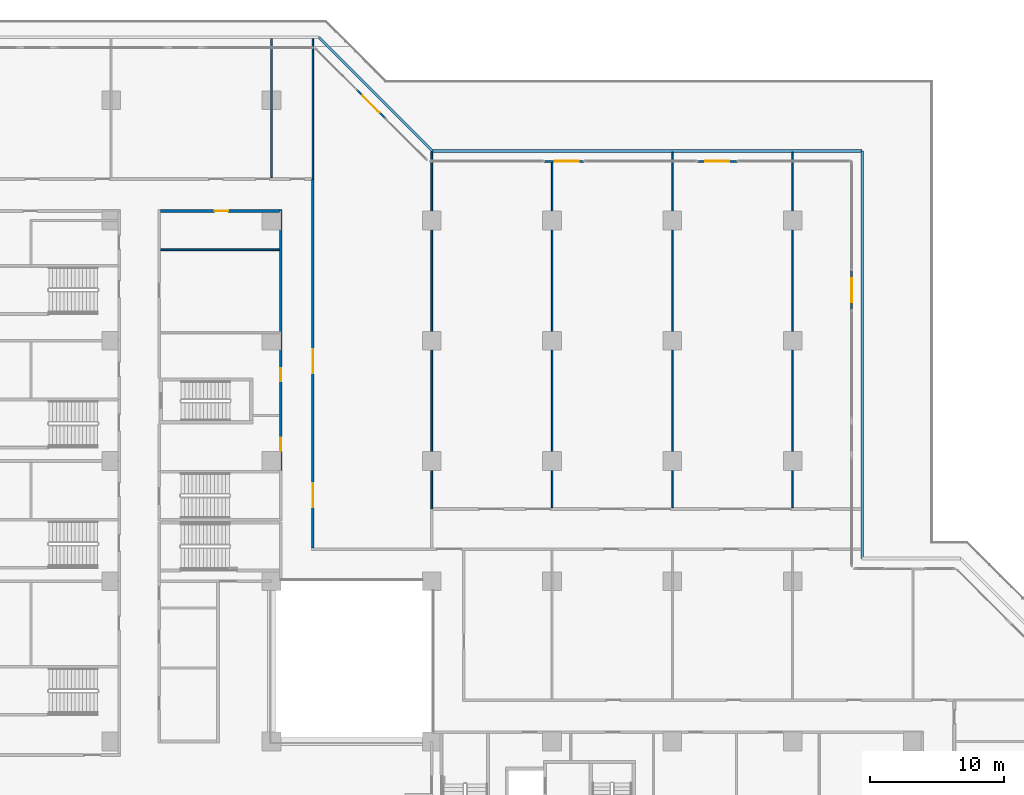
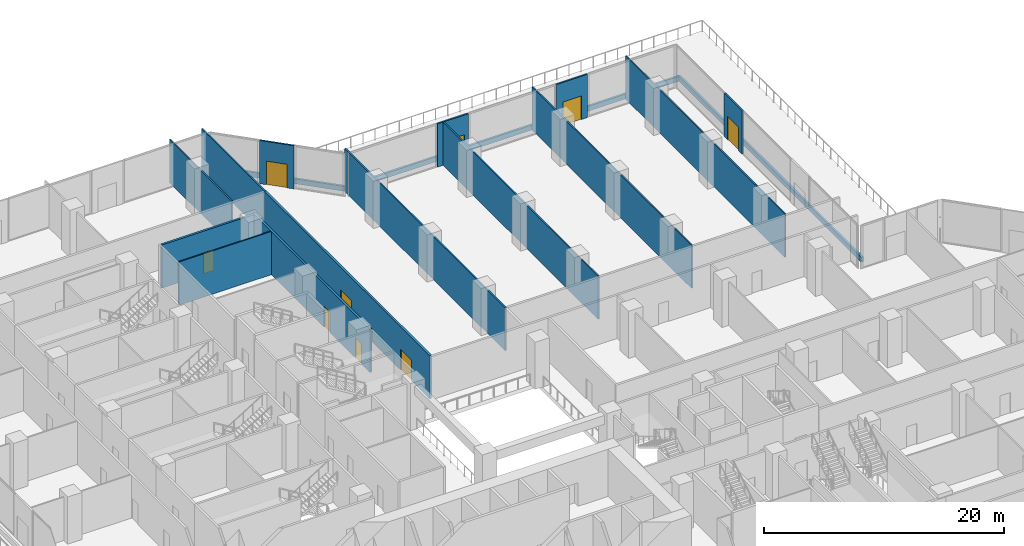
# One storey, part 22 of 31: 17 walls, 9 doors, 9 openings.
"""IFC4 building model written with IfcOpenShell, lengths in metres."""

from ifc_helpers import new_model, si_unit, direction, frame, frame_2d, origin, place, context, subcontext, project, spatial, rectangle, extrude, material, layer, layer_set, type_object, element, fill, save


model = new_model("IFC4")

# Units and contexts
model_context = context("Model", 3, precision=1e-05, world=origin(), true_north=direction((0.0, 1.0)))
body_context = subcontext(model_context, "Body", "Model", "MODEL_VIEW")
ifc_project = project(units=[si_unit("LENGTHUNIT", "METRE"), si_unit("AREAUNIT", "SQUARE_METRE"), si_unit("VOLUMEUNIT", "CUBIC_METRE"), si_unit("PLANEANGLEUNIT", "RADIAN"), si_unit("MASSUNIT", "GRAM", prefix="KILO")], contexts=[model_context])

# Site, building, storey
site_placement = place(None, origin())
site = spatial("IfcSite", under=ifc_project, at=site_placement, CompositionType="ELEMENT")
building_placement = place(site_placement, origin())
building = spatial("IfcBuilding", under=site, at=building_placement, Name="Chenar Terraces", CompositionType="ELEMENT")
storey_placement = place(building_placement, frame((0.0, 0.0, 7.199951171875)))
storey = spatial("IfcBuildingStorey", under=building, at=storey_placement, Name="L01", CompositionType="ELEMENT", Elevation=7.199951171875)

# Walls
ifc_material_1 = material(Name="Gypsum board on steel studs with mineral wool", Category="steel")
ifc_layer_1 = layer(ifc_material_1, 0.125)
ifc_layer_set_1 = layer_set([ifc_layer_1], Name="Gypsum board on steel studs with mineral wool")
wall_type_1 = type_object("IfcWallType", Name="Acoustic partition 125", PredefinedType="PARTITIONING", material=ifc_layer_set_1)
wall_1_placement = place(storey_placement, frame((15.699951171875, 60.800048828125, 0.0), z_axis=(0.0, 0.0, 1.0), x_axis=(1.0, 0.0, 0.0)))
element("IfcWall", 1, at=wall_1_placement, inside=storey, type_object=wall_type_1, Name="Partition L01-063", PredefinedType="PARTITIONING", context=body_context, shape_type="SweptSolid", body=[
    extrude(rectangle(XDim=8.900146484375, YDim=0.125, at=frame_2d((4.4501953125, 0.0))), origin(), (0.0, 0.0, 1.0), 4.400146484375),
])
wall_2_placement = place(storey_placement, frame((24.0, 66.199951171875, 0.0), z_axis=(0.0, 0.0, 1.0), x_axis=(0.0, 1.0, 0.0)))
element("IfcWall", 2, at=wall_2_placement, inside=storey, type_object=wall_type_1, Name="Partition L01-069", PredefinedType="PARTITIONING", context=body_context, shape_type="SweptSolid", body=[
    extrude(rectangle(XDim=10.400146484375, YDim=0.125, at=frame_2d((5.2001953125, 0.0))), origin(), (0.0, 0.0, 1.0), 4.400146484375),
])
wall_3_placement = place(storey_placement, frame((27.10009765625, 66.10009765625, 0.0), z_axis=(0.0, 0.0, 1.0), x_axis=(0.0, 1.0, 0.0)))
element("IfcWall", 3, at=wall_3_placement, inside=storey, type_object=wall_type_1, Name="Partition L01-075", PredefinedType="PARTITIONING", context=body_context, shape_type="SweptSolid", body=[
    extrude(rectangle(XDim=10.5, YDim=0.125, at=frame_2d((5.25, 0.0))), origin(), (0.0, 0.0, 1.0), 4.400146484375),
])
wall_4_placement = place(storey_placement, frame((36.0, 41.39990234375, 0.0), z_axis=(0.0, 0.0, 1.0), x_axis=(0.0, 1.0, 0.0)))
element("IfcWall", 4, at=wall_4_placement, inside=storey, type_object=wall_type_1, Name="Partition L01-084", PredefinedType="PARTITIONING", context=body_context, shape_type="SweptSolid", body=[
    extrude(rectangle(XDim=26.74658203125, YDim=0.125, at=frame_2d((13.373291015625, 0.0))), origin(), (0.0, 0.0, 1.0), 4.400146484375),
])
wall_5_placement = place(storey_placement, frame((45.0, 41.5, 0.0), z_axis=(0.0, 0.0, 1.0), x_axis=(0.0, 1.0, 0.0)))
element("IfcWall", 5, at=wall_5_placement, inside=storey, type_object=wall_type_1, Name="Partition L01-099", PredefinedType="PARTITIONING", context=body_context, shape_type="SweptSolid", body=[
    extrude(rectangle(XDim=25.85107421875, YDim=0.125, at=frame_2d((12.925537109375, 0.0))), origin(), (0.0, 0.0, 1.0), 4.400146484375),
])
for number, where, z_axis, x_axis, name in (
    (6, (54.0, 41.5, 0.0), (0.0, 0.0, 1.0), (0.0, 1.0, 0.0), "Partition L01-109"),
    (7, (63.0, 41.5, 0.0), (0.0, 0.0, 1.0), (0.0, 1.0, 0.0), "Partition L01-116"),
):
    element("IfcWall", number, at=place(storey_placement, frame(where, z_axis=z_axis, x_axis=x_axis)), inside=storey, type_object=wall_type_1, Name=name, PredefinedType="PARTITIONING", context=body_context, shape_type="SweptSolid", body=[
        extrude(rectangle(XDim=26.60009765625, YDim=0.125, at=frame_2d((13.300048828125, 0.0))), origin(), (0.0, 0.0, 1.0), 4.400146484375),
    ])

# Wall, opening, door
ifc_material_2 = material(Name="Gypsum board on steel studs with fire boards", Category="steel")
ifc_layer_2 = layer(ifc_material_2, 0.199951171875)
ifc_layer_set_2 = layer_set([ifc_layer_2], Name="Gypsum board on steel studs with fire boards")
wall_type_2 = type_object("IfcWallType", Name="Corridor wall 200", PredefinedType="PARTITIONING", material=ifc_layer_set_2)
wall_6_placement = place(storey_placement, frame((15.699951171875, 63.699951171875, 0.0), z_axis=(0.0, 0.0, 1.0), x_axis=(1.0, 0.0, 0.0)))
wall_6 = element("IfcWall", 8, at=wall_6_placement, inside=storey, type_object=wall_type_2, Name="Partition L01-064", PredefinedType="PARTITIONING", context=body_context, shape_type="SweptSolid", body=[
    extrude(rectangle(XDim=8.900146484375, YDim=0.199951171875, at=frame_2d((4.4501953125, 0.0))), origin(), (0.0, 0.0, 1.0), 4.400146484375),
])
opening_1_placement = place(wall_6_placement, frame((4.050048828125, 0.0, 0.0)))
opening_1 = element("IfcOpeningElement", 9, at=opening_1_placement, cuts=wall_6, Name="Opening DL01-28", PredefinedType="OPENING", context=body_context, shape_type="SweptSolid", body=[
    extrude(rectangle(XDim=1.0, YDim=2.10009765625, at=frame_2d((0.5, 1.050048828125))), frame((0.0, 0.10986328125, 0.0), z_axis=(0.0, -1.0, 0.0), x_axis=(1.0, 0.0, 0.0)), (0.0, 0.0, 1.0), 0.219970703125),
])
ifc_material_3 = material(Name="Steel-framed fire-resisting door leaf", Category="steel")
door_type_1 = type_object("IfcDoorType", Name="Fire door FD60 1000 x 2100", OperationType="SINGLE_SWING_LEFT", PredefinedType="DOOR", material=ifc_material_3)
door_1_placement = place(opening_1_placement, frame((1.0, 0.0, 0.0), z_axis=(0.0, 0.0, 1.0), x_axis=(-1.0, 0.0, 0.0)))
door_1 = element("IfcDoor", 10, at=door_1_placement, inside=storey, type_object=door_type_1, Name="Door DL01-28", OperationType="SINGLE_SWING_LEFT", OverallHeight=2.10009765625, OverallWidth=1.0, PredefinedType="DOOR", context=body_context, shape_type="SweptSolid", body=[
    extrude(rectangle(XDim=1.0, YDim=2.10009765625, at=frame_2d((0.5, 1.050048828125))), frame((0.0, 0.02490234375, 0.0), z_axis=(0.0, -1.0, 0.0), x_axis=(1.0, 0.0, 0.0)), (0.0, 0.0, 1.0), 0.050048828125),
])
fill(opening_1, door_1)

# Wall, openings, doors
wall_7_placement = place(storey_placement, frame((24.699951171875, 44.300048828125, 0.0), z_axis=(0.0, 0.0, 1.0), x_axis=(0.0, 1.0, 0.0)))
wall_7 = element("IfcWall", 11, at=wall_7_placement, inside=storey, type_object=wall_type_2, Name="Partition L01-072", PredefinedType="PARTITIONING", context=body_context, shape_type="SweptSolid", body=[
    extrude(rectangle(XDim=19.5, YDim=0.199951171875, at=frame_2d((9.75, 0.0))), origin(), (0.0, 0.0, 1.0), 4.400146484375),
])
opening_2_placement = place(wall_7_placement, frame((1.449951171875, 0.0, 0.0)))
opening_2 = element("IfcOpeningElement", 12, at=opening_2_placement, cuts=wall_7, Name="Opening DL01-25", PredefinedType="OPENING", context=body_context, shape_type="SweptSolid", body=[
    extrude(rectangle(XDim=1.0, YDim=2.10009765625, at=frame_2d((0.5, 1.050048828125))), frame((0.0, 0.10986328125, 0.0), z_axis=(0.0, -1.0, 0.0), x_axis=(1.0, 0.0, 0.0)), (0.0, 0.0, 1.0), 0.219970703125),
])
opening_3_placement = place(wall_7_placement, frame((6.64990234375, 0.0, 0.0)))
opening_3 = element("IfcOpeningElement", 13, at=opening_3_placement, cuts=wall_7, Name="Opening DL01-26", PredefinedType="OPENING", context=body_context, shape_type="SweptSolid", body=[
    extrude(rectangle(XDim=1.0, YDim=2.10009765625, at=frame_2d((0.5, 1.050048828125))), frame((0.0, 0.10986328125, 0.0), z_axis=(0.0, -1.0, 0.0), x_axis=(1.0, 0.0, 0.0)), (0.0, 0.0, 1.0), 0.219970703125),
])
door_2_placement = place(opening_2_placement, origin())
door_2 = element("IfcDoor", 14, at=door_2_placement, inside=storey, type_object=door_type_1, Name="Door DL01-25", OperationType="SINGLE_SWING_LEFT", OverallHeight=2.10009765625, OverallWidth=1.0, PredefinedType="DOOR", context=body_context, shape_type="SweptSolid", body=[
    extrude(rectangle(XDim=1.0, YDim=2.10009765625, at=frame_2d((0.5, 1.050048828125))), frame((0.0, 0.02490234375, 0.0), z_axis=(0.0, -1.0, 0.0), x_axis=(1.0, 0.0, 0.0)), (0.0, 0.0, 1.0), 0.050048828125),
])
fill(opening_2, door_2)
door_3_placement = place(opening_3_placement, origin())
door_3 = element("IfcDoor", 15, at=door_3_placement, inside=storey, type_object=door_type_1, Name="Door DL01-26", OperationType="SINGLE_SWING_RIGHT", OverallHeight=2.10009765625, OverallWidth=1.0, PredefinedType="DOOR", context=body_context, shape_type="SweptSolid", body=[
    extrude(rectangle(XDim=1.0, YDim=2.10009765625, at=frame_2d((0.5, 1.050048828125))), frame((0.0, 0.02490234375, 0.0), z_axis=(0.0, -1.0, 0.0), x_axis=(1.0, 0.0, 0.0)), (0.0, 0.0, 1.0), 0.050048828125),
])
fill(opening_3, door_3)

wall_8_placement = place(storey_placement, frame((27.10009765625, 38.5, 0.0), z_axis=(0.0, 0.0, 1.0), x_axis=(0.0, 1.0, 0.0)))
wall_8 = element("IfcWall", 16, at=wall_8_placement, inside=storey, type_object=wall_type_2, Name="Partition L01-074", PredefinedType="PARTITIONING", context=body_context, shape_type="SweptSolid", body=[
    extrude(rectangle(XDim=27.60009765625, YDim=0.199951171875, at=frame_2d((13.800048828125, 0.0))), origin(), (0.0, 0.0, 1.0), 4.400146484375),
])
opening_4_placement = place(wall_8_placement, frame((13.050048828125, 0.0, 0.0)))
opening_4 = element("IfcOpeningElement", 17, at=opening_4_placement, cuts=wall_8, Name="Opening DL01-16", PredefinedType="OPENING", context=body_context, shape_type="SweptSolid", body=[
    extrude(rectangle(XDim=1.800048828125, YDim=2.10009765625, at=frame_2d((0.89990234375, 1.050048828125))), frame((0.0, 0.10986328125, 0.0), z_axis=(0.0, -1.0, 0.0), x_axis=(1.0, 0.0, 0.0)), (0.0, 0.0, 1.0), 0.219970703125),
])
opening_5_placement = place(wall_8_placement, frame((3.050048828125, 0.0, 0.0)))
opening_5 = element("IfcOpeningElement", 18, at=opening_5_placement, cuts=wall_8, Name="Opening DL01-17", PredefinedType="OPENING", context=body_context, shape_type="SweptSolid", body=[
    extrude(rectangle(XDim=1.800048828125, YDim=2.10009765625, at=frame_2d((0.89990234375, 1.050048828125))), frame((0.0, 0.10986328125, 0.0), z_axis=(0.0, -1.0, 0.0), x_axis=(1.0, 0.0, 0.0)), (0.0, 0.0, 1.0), 0.219970703125),
])
ifc_material_4 = material(Name="Steel-framed fire-resisting door leaf", Category="steel")
door_type_2 = type_object("IfcDoorType", Name="Fire double door FD60 1800 x 2100", OperationType="DOUBLE_DOOR_SINGLE_SWING", PredefinedType="DOOR", material=ifc_material_4)
door_4_placement = place(opening_4_placement, origin())
door_4 = element("IfcDoor", 19, at=door_4_placement, inside=storey, type_object=door_type_2, Name="Door DL01-16", OperationType="DOUBLE_DOOR_SINGLE_SWING", OverallHeight=2.10009765625, OverallWidth=1.800048828125, PredefinedType="DOOR", context=body_context, shape_type="SweptSolid", body=[
    extrude(rectangle(XDim=1.800048828125, YDim=2.10009765625, at=frame_2d((0.89990234375, 1.050048828125))), frame((0.0, 0.02490234375, 0.0), z_axis=(0.0, -1.0, 0.0), x_axis=(1.0, 0.0, 0.0)), (0.0, 0.0, 1.0), 0.050048828125),
])
fill(opening_4, door_4)
door_5_placement = place(opening_5_placement, origin())
door_5 = element("IfcDoor", 20, at=door_5_placement, inside=storey, type_object=door_type_2, Name="Door DL01-17", OperationType="DOUBLE_DOOR_SINGLE_SWING", OverallHeight=2.10009765625, OverallWidth=1.800048828125, PredefinedType="DOOR", context=body_context, shape_type="SweptSolid", body=[
    extrude(rectangle(XDim=1.800048828125, YDim=2.10009765625, at=frame_2d((0.89990234375, 1.050048828125))), frame((0.0, 0.02490234375, 0.0), z_axis=(0.0, -1.0, 0.0), x_axis=(1.0, 0.0, 0.0)), (0.0, 0.0, 1.0), 0.050048828125),
])
fill(opening_5, door_5)

# Wall, opening, door
ifc_material_5 = material(Name="Aluminium framed glazing", Category="aluminium")
ifc_layer_3 = layer(ifc_material_5, 0.14990234375)
ifc_layer_set_3 = layer_set([ifc_layer_3], Name="Aluminium framed glazing")
wall_type_3 = type_object("IfcWallType", Name="Podium glazed wall 150", PredefinedType="SOLIDWALL", material=ifc_layer_set_3)
wall_9_placement = place(storey_placement, frame((32.521240234375, 70.63623046875, 0.0), z_axis=(0.0, 0.0, 1.0), x_axis=(-0.707106781187, 0.707106781187, 0.0)))
wall_9 = element("IfcWall", 21, at=wall_9_placement, inside=storey, type_object=wall_type_3, Name="Podium glazed wall", PredefinedType="SOLIDWALL", context=body_context, shape_type="SweptSolid", body=[
    extrude(rectangle(XDim=3.0, YDim=0.14990234375, at=frame_2d((1.5, 0.0))), origin(), (0.0, 0.0, 1.0), 4.400146484375),
])
opening_6_placement = place(wall_9_placement, frame((0.60009765625, 0.0, 0.0)))
opening_6 = element("IfcOpeningElement", 22, at=opening_6_placement, cuts=wall_9, Name="Opening DL01-T1", PredefinedType="OPENING", context=body_context, shape_type="SweptSolid", body=[
    extrude(rectangle(XDim=1.800048828125, YDim=2.39990234375, at=frame_2d((0.89990234375, 1.199951171875))), frame((0.0, 0.0849609375, 0.0), z_axis=(0.0, -1.0, 0.0), x_axis=(1.0, 0.0, 0.0)), (0.0, 0.0, 1.0), 0.169921875),
])
ifc_material_6 = material(Name="Low emissivity double glazing, aluminium frame", Category="aluminium")
door_type_3 = type_object("IfcDoorType", Name="Terrace glazed double door 1800 x 2400", OperationType="DOUBLE_DOOR_SINGLE_SWING", PredefinedType="DOOR", material=ifc_material_6)
door_6_placement = place(opening_6_placement, frame((1.800048828125, 0.0, 0.0), z_axis=(0.0, 0.0, 1.0), x_axis=(-1.0, 0.0, 0.0)))
door_6 = element("IfcDoor", 23, at=door_6_placement, inside=storey, type_object=door_type_3, Name="Terrace glazed door", OperationType="DOUBLE_DOOR_SINGLE_SWING", OverallHeight=2.39990234375, OverallWidth=1.800048828125, PredefinedType="DOOR", context=body_context, shape_type="SweptSolid", body=[
    extrude(rectangle(XDim=1.800048828125, YDim=2.39990234375, at=frame_2d((0.89990234375, 1.199951171875))), frame((0.0, 0.02490234375, 0.0), z_axis=(0.0, -1.0, 0.0), x_axis=(1.0, 0.0, 0.0)), (0.0, 0.0, 1.0), 0.050048828125),
])
fill(opening_6, door_6)

wall_10_placement = place(storey_placement, frame((67.425048828125, 56.283447265625, 0.0), z_axis=(0.0, 0.0, 1.0), x_axis=(0.0, 1.0, 0.0)))
wall_10 = element("IfcWall", 24, at=wall_10_placement, inside=storey, type_object=wall_type_3, Name="Podium glazed wall", PredefinedType="SOLIDWALL", context=body_context, shape_type="SweptSolid", body=[
    extrude(rectangle(XDim=3.0, YDim=0.14990234375, at=frame_2d((1.5, 0.0))), origin(), (0.0, 0.0, 1.0), 4.400146484375),
])
opening_7_placement = place(wall_10_placement, frame((0.60009765625, 0.0, 0.0)))
opening_7 = element("IfcOpeningElement", 25, at=opening_7_placement, cuts=wall_10, Name="Opening DL01-T2", PredefinedType="OPENING", context=body_context, shape_type="SweptSolid", body=[
    extrude(rectangle(XDim=1.800048828125, YDim=2.39990234375, at=frame_2d((0.89990234375, 1.199951171875))), frame((0.0, 0.0849609375, 0.0), z_axis=(0.0, -1.0, 0.0), x_axis=(1.0, 0.0, 0.0)), (0.0, 0.0, 1.0), 0.169921875),
])
door_7_placement = place(opening_7_placement, origin())
door_7 = element("IfcDoor", 26, at=door_7_placement, inside=storey, type_object=door_type_3, Name="Terrace glazed door", OperationType="DOUBLE_DOOR_SINGLE_SWING", OverallHeight=2.39990234375, OverallWidth=1.800048828125, PredefinedType="DOOR", context=body_context, shape_type="SweptSolid", body=[
    extrude(rectangle(XDim=1.800048828125, YDim=2.39990234375, at=frame_2d((0.89990234375, 1.199951171875))), frame((0.0, 0.02490234375, 0.0), z_axis=(0.0, -1.0, 0.0), x_axis=(1.0, 0.0, 0.0)), (0.0, 0.0, 1.0), 0.050048828125),
])
fill(opening_7, door_7)

wall_11_placement = place(storey_placement, frame((58.87109375, 67.425048828125, 0.0), z_axis=(0.0, 0.0, 1.0), x_axis=(-1.0, 0.0, 0.0)))
wall_11 = element("IfcWall", 27, at=wall_11_placement, inside=storey, type_object=wall_type_3, Name="Podium glazed wall", PredefinedType="SOLIDWALL", context=body_context, shape_type="SweptSolid", body=[
    extrude(rectangle(XDim=3.0, YDim=0.14990234375, at=frame_2d((1.5, 0.0))), origin(), (0.0, 0.0, 1.0), 4.400146484375),
])
opening_8_placement = place(wall_11_placement, frame((0.60009765625, 0.0, 0.0)))
opening_8 = element("IfcOpeningElement", 28, at=opening_8_placement, cuts=wall_11, Name="Opening DL01-T1", PredefinedType="OPENING", context=body_context, shape_type="SweptSolid", body=[
    extrude(rectangle(XDim=1.800048828125, YDim=2.39990234375, at=frame_2d((0.89990234375, 1.199951171875))), frame((0.0, 0.0849609375, 0.0), z_axis=(0.0, -1.0, 0.0), x_axis=(1.0, 0.0, 0.0)), (0.0, 0.0, 1.0), 0.169921875),
])
door_8_placement = place(opening_8_placement, frame((1.800048828125, 0.0, 0.0), z_axis=(0.0, 0.0, 1.0), x_axis=(-1.0, 0.0, 0.0)))
door_8 = element("IfcDoor", 29, at=door_8_placement, inside=storey, type_object=door_type_3, Name="Terrace glazed door", OperationType="DOUBLE_DOOR_SINGLE_SWING", OverallHeight=2.39990234375, OverallWidth=1.800048828125, PredefinedType="DOOR", context=body_context, shape_type="SweptSolid", body=[
    extrude(rectangle(XDim=1.800048828125, YDim=2.39990234375, at=frame_2d((0.89990234375, 1.199951171875))), frame((0.0, 0.02490234375, 0.0), z_axis=(0.0, -1.0, 0.0), x_axis=(1.0, 0.0, 0.0)), (0.0, 0.0, 1.0), 0.050048828125),
])
fill(opening_8, door_8)

wall_12_placement = place(storey_placement, frame((47.392333984375, 67.425048828125, 0.0), z_axis=(0.0, 0.0, 1.0), x_axis=(-1.0, 0.0, 0.0)))
wall_12 = element("IfcWall", 30, at=wall_12_placement, inside=storey, type_object=wall_type_3, Name="Podium glazed wall", PredefinedType="SOLIDWALL", context=body_context, shape_type="SweptSolid", body=[
    extrude(rectangle(XDim=3.0, YDim=0.14990234375, at=frame_2d((1.5, 0.0))), origin(), (0.0, 0.0, 1.0), 4.400146484375),
])
opening_9_placement = place(wall_12_placement, frame((0.39990234375, 0.0, 0.0)))
opening_9 = element("IfcOpeningElement", 31, at=opening_9_placement, cuts=wall_12, Name="Opening DL01-T2", PredefinedType="OPENING", context=body_context, shape_type="SweptSolid", body=[
    extrude(rectangle(XDim=1.800048828125, YDim=2.39990234375, at=frame_2d((0.89990234375, 1.199951171875))), frame((0.0, 0.0849609375, 0.0), z_axis=(0.0, -1.0, 0.0), x_axis=(1.0, 0.0, 0.0)), (0.0, 0.0, 1.0), 0.169921875),
])
door_9_placement = place(opening_9_placement, frame((1.800048828125, 0.0, 0.0), z_axis=(0.0, 0.0, 1.0), x_axis=(-1.0, 0.0, 0.0)))
door_9 = element("IfcDoor", 32, at=door_9_placement, inside=storey, type_object=door_type_3, Name="Terrace glazed door", OperationType="DOUBLE_DOOR_SINGLE_SWING", OverallHeight=2.39990234375, OverallWidth=1.800048828125, PredefinedType="DOOR", context=body_context, shape_type="SweptSolid", body=[
    extrude(rectangle(XDim=1.800048828125, YDim=2.39990234375, at=frame_2d((0.89990234375, 1.199951171875))), frame((0.0, 0.02490234375, 0.0), z_axis=(0.0, -1.0, 0.0), x_axis=(1.0, 0.0, 0.0)), (0.0, 0.0, 1.0), 0.050048828125),
])
fill(opening_9, door_9)

# Walls
ifc_material_7 = material(Name="Terracotta cladding on insulated backing", Category="masonry")
ifc_layer_4 = layer(ifc_material_7, 0.199951171875)
ifc_layer_set_4 = layer_set([ifc_layer_4], Name="Terracotta cladding on insulated backing")
wall_type_4 = type_object("IfcWallType", Name="Terrace parapet upstand 200", PredefinedType="PARAPET", material=ifc_layer_set_4)
wall_13_placement = place(storey_placement, frame((36.053466796875, 68.199951171875, 0.0), z_axis=(0.0, 0.0, 1.0), x_axis=(1.0, 0.0, 0.0)))
element("IfcWall", 33, at=wall_13_placement, inside=storey, type_object=wall_type_4, Name="Terrace parapet", PredefinedType="PARAPET", context=body_context, shape_type="SweptSolid", body=[
    extrude(rectangle(XDim=32.146484375, YDim=0.199951171875, at=frame_2d((16.0732421875, 0.0))), origin(), (0.0, 0.0, 1.0), 0.5),
])
wall_14_placement = place(storey_placement, frame((68.199951171875, 68.199951171875, 0.0), z_axis=(0.0, 0.0, 1.0), x_axis=(0.0, -1.0, 0.0)))
element("IfcWall", 34, at=wall_14_placement, inside=storey, type_object=wall_type_4, Name="Terrace parapet", PredefinedType="PARAPET", context=body_context, shape_type="SweptSolid", body=[
    extrude(rectangle(XDim=30.5, YDim=0.199951171875, at=frame_2d((15.25, 0.0))), origin(), (0.0, 0.0, 1.0), 0.5),
])
wall_15_placement = place(storey_placement, frame((27.553466796875, 76.699951171875, 0.0), z_axis=(0.0, 0.0, 1.0), x_axis=(0.707106781187, -0.707106781187, 0.0)))
element("IfcWall", 35, at=wall_15_placement, inside=storey, type_object=wall_type_4, Name="Terrace parapet", PredefinedType="PARAPET", context=body_context, shape_type="SweptSolid", body=[
    extrude(rectangle(XDim=12.020751953125, YDim=0.199951171875, at=frame_2d((6.01025390625, 0.0))), origin(), (0.0, 0.0, 1.0), 0.5),
])

save(model, "model.ifc")
